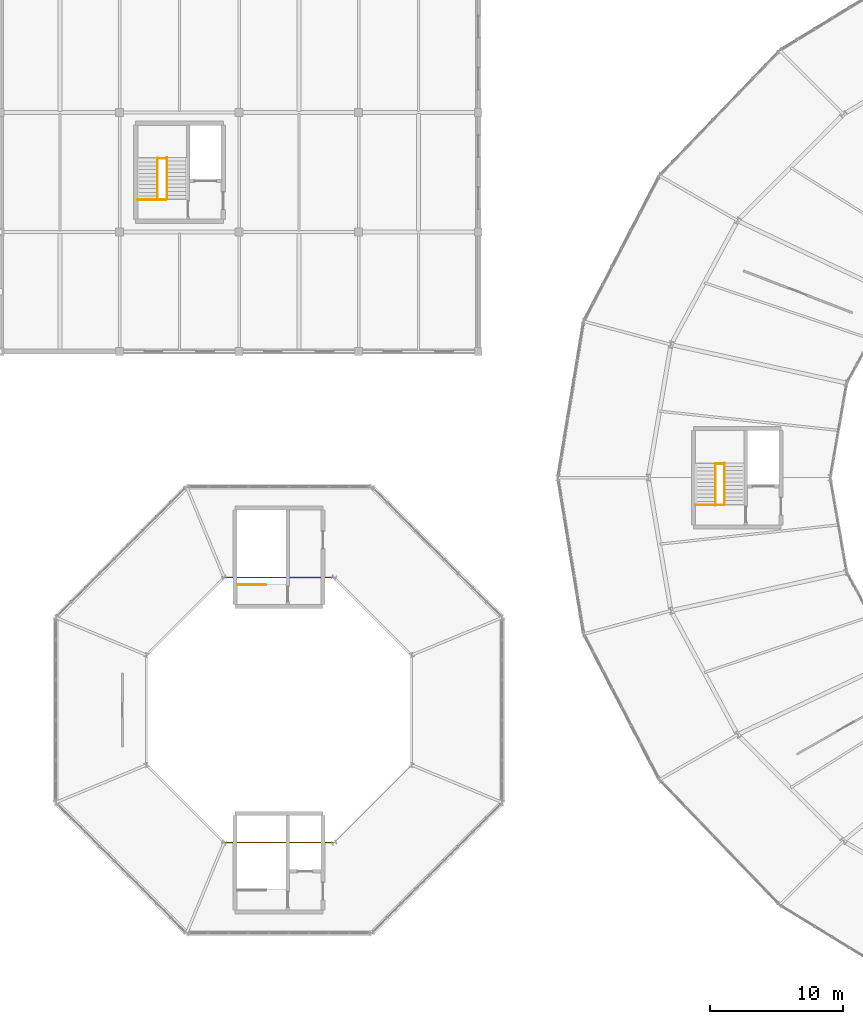
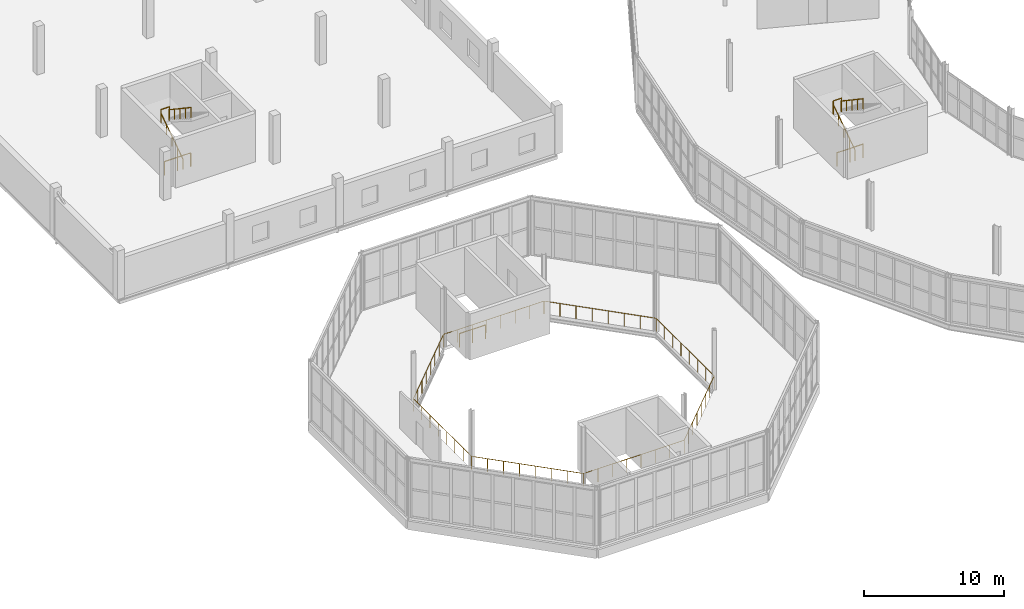
# One storey, part 154 of 161: 10 railings.
"""IFC4 building model written with IfcOpenShell, lengths in metres."""

from ifc_helpers import new_model, si_unit, direction, frame, origin, origin_2d, place, context, subcontext, project, spatial, circle, extrude, material, type_object, element, save


model = new_model("IFC4")

# Units and contexts
model_context = context("Model", 3, precision=1e-05, world=origin(), true_north=direction((0.0, 1.0)))
body_context = subcontext(model_context, "Body", "Model", "MODEL_VIEW")
ifc_project = project(units=[si_unit("LENGTHUNIT", "METRE"), si_unit("AREAUNIT", "SQUARE_METRE"), si_unit("VOLUMEUNIT", "CUBIC_METRE"), si_unit("PLANEANGLEUNIT", "RADIAN"), si_unit("MASSUNIT", "GRAM", prefix="KILO")], contexts=[model_context])

# Site, building, storey
site_placement = place(None, origin())
site = spatial("IfcSite", under=ifc_project, at=site_placement, CompositionType="ELEMENT")
building_placement = place(site_placement, origin())
building = spatial("IfcBuilding", under=site, at=building_placement, Name="Kildeholm Park Wholesale Market", CompositionType="ELEMENT")
storey_placement = place(building_placement, frame((0.0, 0.0, 5.39990234375)))
storey = spatial("IfcBuildingStorey", under=building, at=storey_placement, Name="L01", CompositionType="ELEMENT", Elevation=5.39990234375)

# Railings
ifc_material_1 = material(Name="Painted steel and bronze balustrade", Category="steel")
railing_type_1 = type_object("IfcRailingType", Name="Auction viewing gallery guard GR-IN2 1150 mm", PredefinedType="GUARDRAIL", material=ifc_material_1)
railing_1_placement = place(storey_placement, frame((30.97802734375, 76.133056640625, 0.0)))
element("IfcRailing", 1, at=railing_1_placement, inside=storey, type_object=railing_type_1, Name="Auction bowl L01 viewing gallery balustrade RLG-0180", PredefinedType="GUARDRAIL", context=body_context, shape_type="SweptSolid", body=[
    extrude(circle(Radius=0.02392578125, at=origin_2d()), frame((0.0, 0.0, 1.1259765625), z_axis=(-0.707106781187, 0.707106781187, 0.0), x_axis=(-0.707106781187, -0.707106781187, 0.0)), (0.0, 0.0, 1.0), 8.26611328125),
    extrude(circle(Radius=0.02392578125, at=origin_2d()), frame((-5.844970703125, 5.844970703125, 1.1259765625), z_axis=(-1.0, 0.0, 0.0), x_axis=(0.0, -1.0, 0.0)), (0.0, 0.0, 1.0), 8.26611328125),
    extrude(circle(Radius=0.02392578125, at=origin_2d()), frame((-14.111083984375, 5.844970703125, 1.1259765625), z_axis=(-0.707106781187, -0.707106781187, 0.0), x_axis=(0.707106781187, -0.707106781187, 0.0)), (0.0, 0.0, 1.0), 8.26611328125),
    extrude(circle(Radius=0.02392578125, at=origin_2d()), frame((-19.9560546875, 0.0, 1.1259765625), z_axis=(0.0, -1.0, 0.0), x_axis=(1.0, 0.0, 0.0)), (0.0, 0.0, 1.0), 8.26611328125),
    extrude(circle(Radius=0.02392578125, at=origin_2d()), frame((-19.9560546875, -8.26611328125, 1.1259765625), z_axis=(0.707106781187, -0.707106781187, 0.0), x_axis=(0.707106781187, 0.707106781187, 0.0)), (0.0, 0.0, 1.0), 8.26611328125),
    extrude(circle(Radius=0.02392578125, at=origin_2d()), frame((-14.111083984375, -14.111083984375, 1.1259765625), z_axis=(1.0, 0.0, 0.0), x_axis=(0.0, 1.0, 0.0)), (0.0, 0.0, 1.0), 8.26611328125),
    extrude(circle(Radius=0.02392578125, at=origin_2d()), frame((-5.844970703125, -14.111083984375, 1.1259765625), z_axis=(0.707106781187, 0.707106781187, 0.0), x_axis=(-0.707106781187, 0.707106781187, 0.0)), (0.0, 0.0, 1.0), 8.26611328125),
    extrude(circle(Radius=0.02392578125, at=origin_2d()), frame((0.0, -8.26611328125, 1.1259765625), z_axis=(0.0, 1.0, 0.0), x_axis=(-1.0, 0.0, 0.0)), (0.0, 0.0, 1.0), 8.26611328125),
    extrude(circle(Radius=0.02099609375, at=origin_2d()), origin(), (0.0, 0.0, 1.0), 1.101806640625),
    extrude(circle(Radius=0.02099609375, at=origin_2d()), frame((-0.8349609375, 0.8349609375, 0.0)), (0.0, 0.0, 1.0), 1.101806640625),
    extrude(circle(Radius=0.02099609375, at=origin_2d()), frame((-1.669921875, 1.669921875, 0.0)), (0.0, 0.0, 1.0), 1.101806640625),
    extrude(circle(Radius=0.02099609375, at=origin_2d()), frame((-2.5048828125, 2.5048828125, 0.0)), (0.0, 0.0, 1.0), 1.101806640625),
    extrude(circle(Radius=0.02099609375, at=origin_2d()), frame((-3.340087890625, 3.340087890625, 0.0)), (0.0, 0.0, 1.0), 1.101806640625),
    extrude(circle(Radius=0.02099609375, at=origin_2d()), frame((-4.175048828125, 4.175048828125, 0.0)), (0.0, 0.0, 1.0), 1.101806640625),
    extrude(circle(Radius=0.02099609375, at=origin_2d()), frame((-5.010009765625, 5.010009765625, 0.0)), (0.0, 0.0, 1.0), 1.101806640625),
    extrude(circle(Radius=0.02099609375, at=origin_2d()), frame((-5.844970703125, 5.844970703125, 0.0)), (0.0, 0.0, 1.0), 1.101806640625),
    extrude(circle(Radius=0.02099609375, at=origin_2d()), frame((-7.02587890625, 5.844970703125, 0.0)), (0.0, 0.0, 1.0), 1.101806640625),
    extrude(circle(Radius=0.02099609375, at=origin_2d()), frame((-8.206787109375, 5.844970703125, 0.0)), (0.0, 0.0, 1.0), 1.101806640625),
    extrude(circle(Radius=0.02099609375, at=origin_2d()), frame((-9.3876953125, 5.844970703125, 0.0)), (0.0, 0.0, 1.0), 1.101806640625),
    extrude(circle(Radius=0.02099609375, at=origin_2d()), frame((-10.568359375, 5.844970703125, 0.0)), (0.0, 0.0, 1.0), 1.101806640625),
    extrude(circle(Radius=0.02099609375, at=origin_2d()), frame((-11.749267578125, 5.844970703125, 0.0)), (0.0, 0.0, 1.0), 1.101806640625),
    extrude(circle(Radius=0.02099609375, at=origin_2d()), frame((-12.93017578125, 5.844970703125, 0.0)), (0.0, 0.0, 1.0), 1.101806640625),
    extrude(circle(Radius=0.02099609375, at=origin_2d()), frame((-14.111083984375, 5.844970703125, 0.0)), (0.0, 0.0, 1.0), 1.101806640625),
    extrude(circle(Radius=0.02099609375, at=origin_2d()), frame((-14.946044921875, 5.010009765625, 0.0)), (0.0, 0.0, 1.0), 1.101806640625),
    extrude(circle(Radius=0.02099609375, at=origin_2d()), frame((-15.781005859375, 4.175048828125, 0.0)), (0.0, 0.0, 1.0), 1.101806640625),
    extrude(circle(Radius=0.02099609375, at=origin_2d()), frame((-16.615966796875, 3.340087890625, 0.0)), (0.0, 0.0, 1.0), 1.101806640625),
    extrude(circle(Radius=0.02099609375, at=origin_2d()), frame((-17.451171875, 2.5048828125, 0.0)), (0.0, 0.0, 1.0), 1.101806640625),
    extrude(circle(Radius=0.02099609375, at=origin_2d()), frame((-18.2861328125, 1.669921875, 0.0)), (0.0, 0.0, 1.0), 1.101806640625),
    extrude(circle(Radius=0.02099609375, at=origin_2d()), frame((-19.12109375, 0.8349609375, 0.0)), (0.0, 0.0, 1.0), 1.101806640625),
    extrude(circle(Radius=0.02099609375, at=origin_2d()), frame((-19.9560546875, 0.0, 0.0)), (0.0, 0.0, 1.0), 1.101806640625),
    extrude(circle(Radius=0.02099609375, at=origin_2d()), frame((-19.9560546875, -1.180908203125, 0.0)), (0.0, 0.0, 1.0), 1.101806640625),
    extrude(circle(Radius=0.02099609375, at=origin_2d()), frame((-19.9560546875, -2.36181640625, 0.0)), (0.0, 0.0, 1.0), 1.101806640625),
    extrude(circle(Radius=0.02099609375, at=origin_2d()), frame((-19.9560546875, -3.542724609375, 0.0)), (0.0, 0.0, 1.0), 1.101806640625),
    extrude(circle(Radius=0.02099609375, at=origin_2d()), frame((-19.9560546875, -4.723388671875, 0.0)), (0.0, 0.0, 1.0), 1.101806640625),
    extrude(circle(Radius=0.02099609375, at=origin_2d()), frame((-19.9560546875, -5.904296875, 0.0)), (0.0, 0.0, 1.0), 1.101806640625),
    extrude(circle(Radius=0.02099609375, at=origin_2d()), frame((-19.9560546875, -7.085205078125, 0.0)), (0.0, 0.0, 1.0), 1.101806640625),
    extrude(circle(Radius=0.02099609375, at=origin_2d()), frame((-19.9560546875, -8.26611328125, 0.0)), (0.0, 0.0, 1.0), 1.101806640625),
    extrude(circle(Radius=0.02099609375, at=origin_2d()), frame((-19.12109375, -9.10107421875, 0.0)), (0.0, 0.0, 1.0), 1.101806640625),
    extrude(circle(Radius=0.02099609375, at=origin_2d()), frame((-18.2861328125, -9.93603515625, 0.0)), (0.0, 0.0, 1.0), 1.101806640625),
    extrude(circle(Radius=0.02099609375, at=origin_2d()), frame((-17.451171875, -10.77099609375, 0.0)), (0.0, 0.0, 1.0), 1.101806640625),
    extrude(circle(Radius=0.02099609375, at=origin_2d()), frame((-16.615966796875, -11.606201171875, 0.0)), (0.0, 0.0, 1.0), 1.101806640625),
    extrude(circle(Radius=0.02099609375, at=origin_2d()), frame((-15.781005859375, -12.441162109375, 0.0)), (0.0, 0.0, 1.0), 1.101806640625),
    extrude(circle(Radius=0.02099609375, at=origin_2d()), frame((-14.946044921875, -13.276123046875, 0.0)), (0.0, 0.0, 1.0), 1.101806640625),
    extrude(circle(Radius=0.02099609375, at=origin_2d()), frame((-14.111083984375, -14.111083984375, 0.0)), (0.0, 0.0, 1.0), 1.101806640625),
    extrude(circle(Radius=0.02099609375, at=origin_2d()), frame((-12.93017578125, -14.111083984375, 0.0)), (0.0, 0.0, 1.0), 1.101806640625),
    extrude(circle(Radius=0.02099609375, at=origin_2d()), frame((-11.749267578125, -14.111083984375, 0.0)), (0.0, 0.0, 1.0), 1.101806640625),
    extrude(circle(Radius=0.02099609375, at=origin_2d()), frame((-10.568359375, -14.111083984375, 0.0)), (0.0, 0.0, 1.0), 1.101806640625),
    extrude(circle(Radius=0.02099609375, at=origin_2d()), frame((-9.3876953125, -14.111083984375, 0.0)), (0.0, 0.0, 1.0), 1.101806640625),
    extrude(circle(Radius=0.02099609375, at=origin_2d()), frame((-8.206787109375, -14.111083984375, 0.0)), (0.0, 0.0, 1.0), 1.101806640625),
    extrude(circle(Radius=0.02099609375, at=origin_2d()), frame((-7.02587890625, -14.111083984375, 0.0)), (0.0, 0.0, 1.0), 1.101806640625),
    extrude(circle(Radius=0.02099609375, at=origin_2d()), frame((-5.844970703125, -14.111083984375, 0.0)), (0.0, 0.0, 1.0), 1.101806640625),
    extrude(circle(Radius=0.02099609375, at=origin_2d()), frame((-5.010009765625, -13.276123046875, 0.0)), (0.0, 0.0, 1.0), 1.101806640625),
    extrude(circle(Radius=0.02099609375, at=origin_2d()), frame((-4.175048828125, -12.441162109375, 0.0)), (0.0, 0.0, 1.0), 1.101806640625),
    extrude(circle(Radius=0.02099609375, at=origin_2d()), frame((-3.340087890625, -11.606201171875, 0.0)), (0.0, 0.0, 1.0), 1.101806640625),
    extrude(circle(Radius=0.02099609375, at=origin_2d()), frame((-2.5048828125, -10.77099609375, 0.0)), (0.0, 0.0, 1.0), 1.101806640625),
    extrude(circle(Radius=0.02099609375, at=origin_2d()), frame((-1.669921875, -9.93603515625, 0.0)), (0.0, 0.0, 1.0), 1.101806640625),
    extrude(circle(Radius=0.02099609375, at=origin_2d()), frame((-0.8349609375, -9.10107421875, 0.0)), (0.0, 0.0, 1.0), 1.101806640625),
    extrude(circle(Radius=0.02099609375, at=origin_2d()), frame((0.0, -8.26611328125, 0.0)), (0.0, 0.0, 1.0), 1.101806640625),
    extrude(circle(Radius=0.02099609375, at=origin_2d()), frame((0.0, -7.085205078125, 0.0)), (0.0, 0.0, 1.0), 1.101806640625),
    extrude(circle(Radius=0.02099609375, at=origin_2d()), frame((0.0, -5.904296875, 0.0)), (0.0, 0.0, 1.0), 1.101806640625),
    extrude(circle(Radius=0.02099609375, at=origin_2d()), frame((0.0, -4.723388671875, 0.0)), (0.0, 0.0, 1.0), 1.101806640625),
    extrude(circle(Radius=0.02099609375, at=origin_2d()), frame((0.0, -3.542724609375, 0.0)), (0.0, 0.0, 1.0), 1.101806640625),
    extrude(circle(Radius=0.02099609375, at=origin_2d()), frame((0.0, -2.36181640625, 0.0)), (0.0, 0.0, 1.0), 1.101806640625),
    extrude(circle(Radius=0.02099609375, at=origin_2d()), frame((0.0, -1.180908203125, 0.0)), (0.0, 0.0, 1.0), 1.101806640625),
])
ifc_material_2 = material(Name="Painted steel and laminated glass balustrade", Category="steel")
railing_type_2 = type_object("IfcRailingType", Name="Interior gallery and stairwell guard GR-IN1 1200 mm", PredefinedType="GUARDRAIL", material=ifc_material_2)
railing_2_placement = place(storey_placement, frame((10.360107421875, 110.429931640625, 0.0)))
element("IfcRailing", 2, at=railing_2_placement, inside=storey, type_object=railing_type_2, Name="Stair C01 upper floor well guard L01 RLG-0023", PredefinedType="GUARDRAIL", context=body_context, shape_type="SweptSolid", body=[
    extrude(circle(Radius=0.02392578125, at=origin_2d()), frame((0.0, 0.0, 1.17578125), z_axis=(1.0, 0.0, 0.0), x_axis=(0.0, 1.0, 0.0)), (0.0, 0.0, 1.0), 2.14990234375),
    extrude(circle(Radius=0.02099609375, at=origin_2d()), origin(), (0.0, 0.0, 1.0), 1.15185546875),
    extrude(circle(Radius=0.02099609375, at=origin_2d()), frame((1.074951171875, 0.0, 0.0)), (0.0, 0.0, 1.0), 1.15185546875),
    extrude(circle(Radius=0.02099609375, at=origin_2d()), frame((2.14990234375, 0.0, 0.0)), (0.0, 0.0, 1.0), 1.15185546875),
])
railing_3_placement = place(storey_placement, frame((11.860107421875, 113.544921875, 2.10009765625)))
element("IfcRailing", 3, at=railing_3_placement, inside=storey, type_object=railing_type_2, Name="Stair C01 half-landing well guard L01 RLG-0026", PredefinedType="GUARDRAIL", context=body_context, shape_type="SweptSolid", body=[
    extrude(circle(Radius=0.02392578125, at=origin_2d()), frame((0.0, 0.0, 1.17578125), z_axis=(1.0, 0.0, 0.0), x_axis=(0.0, 1.0, 0.0)), (0.0, 0.0, 1.0), 0.68994140625),
    extrude(circle(Radius=0.02099609375, at=origin_2d()), origin(), (0.0, 0.0, 1.0), 1.15185546875),
    extrude(circle(Radius=0.02099609375, at=origin_2d()), frame((0.68994140625, 0.0, 0.0)), (0.0, 0.0, 1.0), 1.15185546875),
])
railing_4_placement = place(storey_placement, frame((52.360107421875, 87.429931640625, 0.0)))
element("IfcRailing", 4, at=railing_4_placement, inside=storey, type_object=railing_type_2, Name="Stair C09 upper floor well guard L01 RLG-0107", PredefinedType="GUARDRAIL", context=body_context, shape_type="SweptSolid", body=[
    extrude(circle(Radius=0.02392578125, at=origin_2d()), frame((0.0, 0.0, 1.17578125), z_axis=(1.0, 0.0, 0.0), x_axis=(0.0, 1.0, 0.0)), (0.0, 0.0, 1.0), 2.14990234375),
    extrude(circle(Radius=0.02099609375, at=origin_2d()), origin(), (0.0, 0.0, 1.0), 1.15185546875),
    extrude(circle(Radius=0.02099609375, at=origin_2d()), frame((1.074951171875, 0.0, 0.0)), (0.0, 0.0, 1.0), 1.15185546875),
    extrude(circle(Radius=0.02099609375, at=origin_2d()), frame((2.14990234375, 0.0, 0.0)), (0.0, 0.0, 1.0), 1.15185546875),
])
railing_5_placement = place(storey_placement, frame((53.860107421875, 90.544921875, 2.10009765625)))
element("IfcRailing", 5, at=railing_5_placement, inside=storey, type_object=railing_type_2, Name="Stair C09 half-landing well guard L01 RLG-0110", PredefinedType="GUARDRAIL", context=body_context, shape_type="SweptSolid", body=[
    extrude(circle(Radius=0.02392578125, at=origin_2d()), frame((0.0, 0.0, 1.17578125), z_axis=(1.0, 0.0, 0.0), x_axis=(0.0, 1.0, 0.0)), (0.0, 0.0, 1.0), 0.68994140625),
    extrude(circle(Radius=0.02099609375, at=origin_2d()), origin(), (0.0, 0.0, 1.0), 1.15185546875),
    extrude(circle(Radius=0.02099609375, at=origin_2d()), frame((0.68994140625, 0.0, 0.0)), (0.0, 0.0, 1.0), 1.15185546875),
])
railing_6_placement = place(storey_placement, frame((17.860107421875, 81.429931640625, 0.0)))
element("IfcRailing", 6, at=railing_6_placement, inside=storey, type_object=railing_type_2, Name="Stair C15 upper floor well guard L01 RLG-0151", PredefinedType="GUARDRAIL", context=body_context, shape_type="SweptSolid", body=[
    extrude(circle(Radius=0.02392578125, at=origin_2d()), frame((0.0, 0.0, 1.17578125), z_axis=(1.0, 0.0, 0.0), x_axis=(0.0, 1.0, 0.0)), (0.0, 0.0, 1.0), 2.14990234375),
    extrude(circle(Radius=0.02099609375, at=origin_2d()), origin(), (0.0, 0.0, 1.0), 1.15185546875),
    extrude(circle(Radius=0.02099609375, at=origin_2d()), frame((1.074951171875, 0.0, 0.0)), (0.0, 0.0, 1.0), 1.15185546875),
    extrude(circle(Radius=0.02099609375, at=origin_2d()), frame((2.14990234375, 0.0, 0.0)), (0.0, 0.0, 1.0), 1.15185546875),
])
ifc_material_3 = material(Name="Stainless steel AISI 316 handrail", Category="steel")
railing_type_3 = type_object("IfcRailingType", Name="Stair flight handrail HR-IN1 900 mm", PredefinedType="HANDRAIL", material=ifc_material_3)
railing_7_placement = place(storey_placement, frame((11.860107421875, 110.419921875, 0.0)))
element("IfcRailing", 7, at=railing_7_placement, inside=storey, type_object=railing_type_3, Name="Stair C01 flight 1 handrail L01 RLG-0028", PredefinedType="HANDRAIL", context=body_context, shape_type="SweptSolid", body=[
    extrude(circle(Radius=0.02392578125, at=origin_2d()), frame((0.0, 0.0, 0.8759765625), z_axis=(0.0, 0.830813955726, 0.556550241192), x_axis=(-1.0, 0.0, 0.0)), (0.0, 0.0, 1.0), 3.7734375),
    extrude(circle(Radius=0.02099609375, at=origin_2d()), origin(), (0.0, 0.0, 1.0), 0.851806640625),
    extrude(circle(Radius=0.02099609375, at=origin_2d()), frame((0.0, 0.78369140625, 0.52490234375)), (0.0, 0.0, 1.0), 0.851806640625),
    extrude(circle(Radius=0.02099609375, at=origin_2d()), frame((0.0, 1.5673828125, 1.050048828125)), (0.0, 0.0, 1.0), 0.851806640625),
    extrude(circle(Radius=0.02099609375, at=origin_2d()), frame((0.0, 2.351318359375, 1.5751953125)), (0.0, 0.0, 1.0), 0.851806640625),
    extrude(circle(Radius=0.02099609375, at=origin_2d()), frame((0.0, 3.135009765625, 2.10009765625)), (0.0, 0.0, 1.0), 0.851806640625),
])
railing_8_placement = place(storey_placement, frame((12.550048828125, 113.614990234375, 2.10009765625)))
element("IfcRailing", 8, at=railing_8_placement, inside=storey, type_object=railing_type_3, Name="Stair C01 flight 2 handrail L01 RLG-0029", PredefinedType="HANDRAIL", context=body_context, shape_type="SweptSolid", body=[
    extrude(circle(Radius=0.02392578125, at=origin_2d()), frame((0.0, 0.0, 0.8759765625), z_axis=(0.0, -0.830813955726, 0.556550241192), x_axis=(1.0, 0.0, 0.0)), (0.0, 0.0, 1.0), 3.7734375),
    extrude(circle(Radius=0.02099609375, at=origin_2d()), origin(), (0.0, 0.0, 1.0), 0.851806640625),
    extrude(circle(Radius=0.02099609375, at=origin_2d()), frame((0.0, -0.78369140625, 0.52490234375)), (0.0, 0.0, 1.0), 0.851806640625),
    extrude(circle(Radius=0.02099609375, at=origin_2d()), frame((0.0, -1.5673828125, 1.050048828125)), (0.0, 0.0, 1.0), 0.851806640625),
    extrude(circle(Radius=0.02099609375, at=origin_2d()), frame((0.0, -2.351318359375, 1.5751953125)), (0.0, 0.0, 1.0), 0.851806640625),
    extrude(circle(Radius=0.02099609375, at=origin_2d()), frame((0.0, -3.135009765625, 2.10009765625)), (0.0, 0.0, 1.0), 0.851806640625),
])
railing_9_placement = place(storey_placement, frame((53.860107421875, 87.419921875, 0.0)))
element("IfcRailing", 9, at=railing_9_placement, inside=storey, type_object=railing_type_3, Name="Stair C09 flight 1 handrail L01 RLG-0112", PredefinedType="HANDRAIL", context=body_context, shape_type="SweptSolid", body=[
    extrude(circle(Radius=0.02392578125, at=origin_2d()), frame((0.0, 0.0, 0.8759765625), z_axis=(0.0, 0.830813955726, 0.556550241192), x_axis=(-1.0, 0.0, 0.0)), (0.0, 0.0, 1.0), 3.7734375),
    extrude(circle(Radius=0.02099609375, at=origin_2d()), origin(), (0.0, 0.0, 1.0), 0.851806640625),
    extrude(circle(Radius=0.02099609375, at=origin_2d()), frame((0.0, 0.78369140625, 0.52490234375)), (0.0, 0.0, 1.0), 0.851806640625),
    extrude(circle(Radius=0.02099609375, at=origin_2d()), frame((0.0, 1.5673828125, 1.050048828125)), (0.0, 0.0, 1.0), 0.851806640625),
    extrude(circle(Radius=0.02099609375, at=origin_2d()), frame((0.0, 2.351318359375, 1.5751953125)), (0.0, 0.0, 1.0), 0.851806640625),
    extrude(circle(Radius=0.02099609375, at=origin_2d()), frame((0.0, 3.135009765625, 2.10009765625)), (0.0, 0.0, 1.0), 0.851806640625),
])
railing_10_placement = place(storey_placement, frame((54.550048828125, 90.614990234375, 2.10009765625)))
element("IfcRailing", 10, at=railing_10_placement, inside=storey, type_object=railing_type_3, Name="Stair C09 flight 2 handrail L01 RLG-0113", PredefinedType="HANDRAIL", context=body_context, shape_type="SweptSolid", body=[
    extrude(circle(Radius=0.02392578125, at=origin_2d()), frame((0.0, 0.0, 0.8759765625), z_axis=(0.0, -0.830813955726, 0.556550241192), x_axis=(1.0, 0.0, 0.0)), (0.0, 0.0, 1.0), 3.7734375),
    extrude(circle(Radius=0.02099609375, at=origin_2d()), origin(), (0.0, 0.0, 1.0), 0.851806640625),
    extrude(circle(Radius=0.02099609375, at=origin_2d()), frame((0.0, -0.78369140625, 0.52490234375)), (0.0, 0.0, 1.0), 0.851806640625),
    extrude(circle(Radius=0.02099609375, at=origin_2d()), frame((0.0, -1.5673828125, 1.050048828125)), (0.0, 0.0, 1.0), 0.851806640625),
    extrude(circle(Radius=0.02099609375, at=origin_2d()), frame((0.0, -2.351318359375, 1.5751953125)), (0.0, 0.0, 1.0), 0.851806640625),
    extrude(circle(Radius=0.02099609375, at=origin_2d()), frame((0.0, -3.135009765625, 2.10009765625)), (0.0, 0.0, 1.0), 0.851806640625),
])

save(model, "model.ifc")
